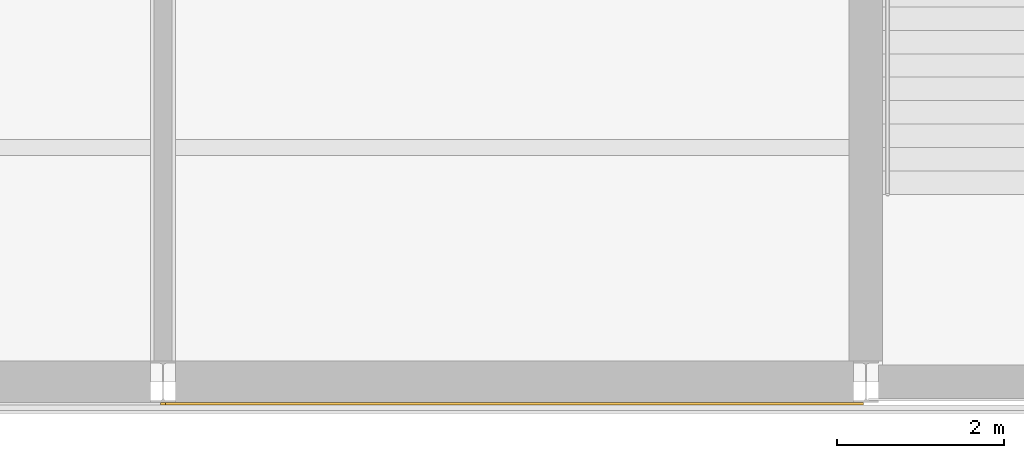
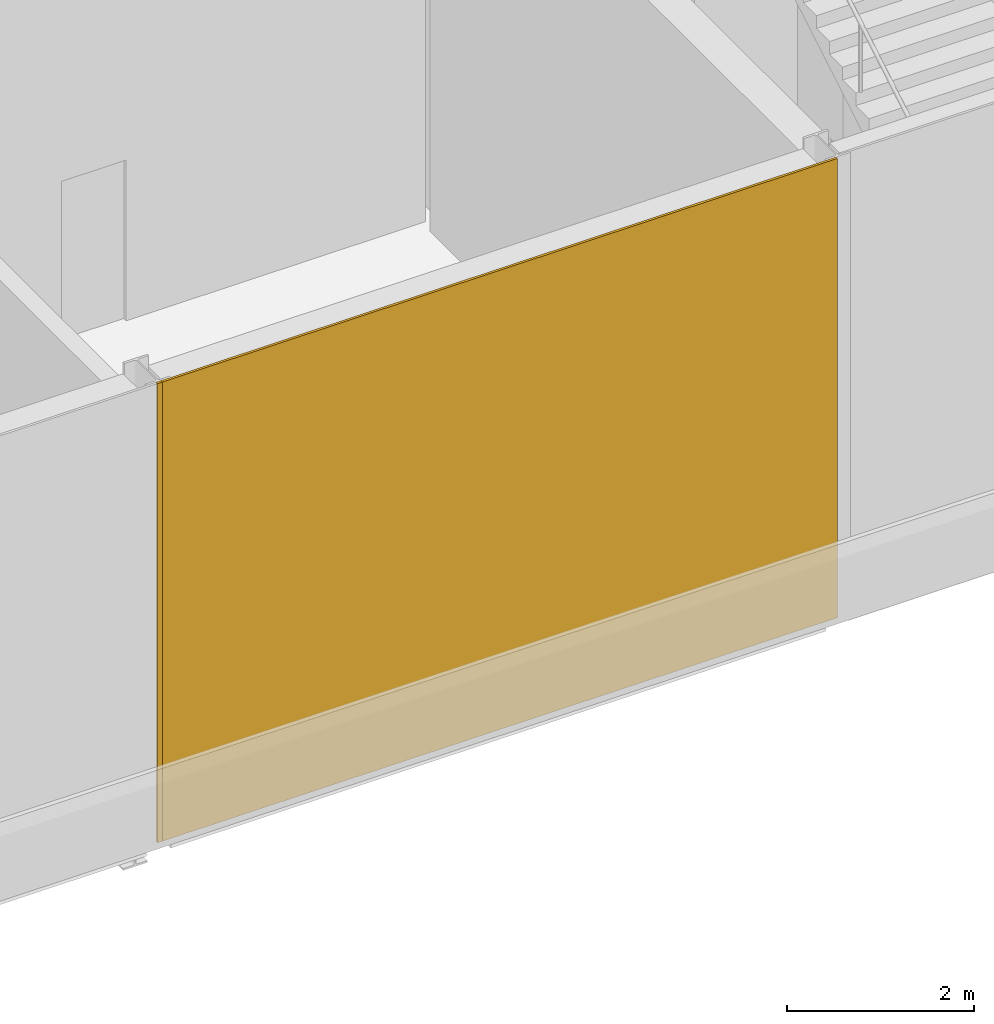
# One storey, part 49 of 55: 2 coverings.
"""IFC4 building model written with IfcOpenShell, lengths in metres."""

import ifcopenshell
import ifcopenshell.guid

model = None  # the IFC model being written
_history = None  # IfcOwnerHistory: only IFC2X3 demands one
_inside = {}  # id of a spatial element -> (the spatial element, [elements in it])
_under = {}  # id of a project, library or spatial element -> (it, [spatial elements below it])
_declared = {}  # id of a project -> (the project, [libraries it declares])
_typed = {}  # id of a type object -> (the type object, [elements of that type])
_made_of = {}  # id of a material, layer set ... -> (it, [elements and type objects made of it])


def new_model(schema):
    """Start an empty IFC model of exactly this schema.

    Asked for "IFC4X3", IfcOpenShell would pick the latest addendum, in which some entities
    have other attributes; the version numbers below select the first issue.
    IFC2X3 requires an IfcOwnerHistory on every rooted entity: one is made here for all.
    """
    global model, _history
    if schema == "IFC4X3":
        model = ifcopenshell.file(schema_version=(4, 3, 0, 0))
    else:
        model = ifcopenshell.file(schema=schema)
    _inside.clear()
    _under.clear()
    _declared.clear()
    _typed.clear()
    _made_of.clear()
    _history = None
    if model.schema == "IFC2X3":
        org = make("IfcOrganization", Name="unknown")
        user = make(
            "IfcPersonAndOrganization",
            ThePerson=make("IfcPerson", FamilyName="unknown"),
            TheOrganization=org,
        )
        app = make(
            "IfcApplication",
            ApplicationDeveloper=org,
            Version="unknown",
            ApplicationFullName="unknown",
            ApplicationIdentifier="unknown",
        )
        _history = make(
            "IfcOwnerHistory",
            OwningUser=user,
            OwningApplication=app,
            ChangeAction="ADDED",
            CreationDate=0,
        )
    return model


def make(cls, **values):
    """One entity of the class cls with the attributes given. An attribute that is None is left unset."""
    return model.create_entity(
        cls, **{name: value for name, value in values.items() if value is not None}
    )


def rooted(cls, **values):
    """An entity with a GlobalId (a new one), such as an element, a storey or a relation."""
    return make(cls, GlobalId=ifcopenshell.guid.new(), OwnerHistory=_history, **values)


def si_unit(unit_type, name, prefix=None):
    """IfcSIUnit, for example si_unit("LENGTHUNIT", "METRE", prefix="MILLI")."""
    return make("IfcSIUnit", UnitType=unit_type, Prefix=prefix, Name=name)


def assignment(units):
    """IfcUnitAssignment: the units of a project."""
    return None if units is None else make("IfcUnitAssignment", Units=units)


def point(xyz):
    """IfcCartesianPoint."""
    return None if xyz is None else make("IfcCartesianPoint", Coordinates=xyz)


def direction(xyz):
    """IfcDirection."""
    return None if xyz is None else make("IfcDirection", DirectionRatios=xyz)


def frame(location, z_axis=None, x_axis=None):
    """IfcAxis2Placement3D, a coordinate frame: its origin and axes. An axis left out is left unset."""
    return make(
        "IfcAxis2Placement3D",
        Location=point(location),
        Axis=direction(z_axis),
        RefDirection=direction(x_axis),
    )


def frame_2d(location, x_axis=None):
    """IfcAxis2Placement2D, a coordinate frame in the plane: its origin and x axis."""
    return make(
        "IfcAxis2Placement2D", Location=point(location), RefDirection=direction(x_axis)
    )


def origin():
    """The frame at (0, 0, 0) with its axes left unset."""
    return frame((0.0, 0.0, 0.0))


def origin_2d():
    """The frame at (0, 0) in the plane with its x axis left unset."""
    return frame_2d((0.0, 0.0))


def place(relative_to, where):
    """IfcLocalPlacement: puts the frame where relative to a parent placement (None: the world)."""
    return make(
        "IfcLocalPlacement", PlacementRelTo=relative_to, RelativePlacement=where
    )


def context(
    kind, dimensions, precision=None, world=None, true_north=None, identifier=None
):
    """IfcGeometricRepresentationContext, for example the 3D "Model" context."""
    return make(
        "IfcGeometricRepresentationContext",
        ContextIdentifier=identifier,
        ContextType=kind,
        CoordinateSpaceDimension=dimensions,
        Precision=precision,
        WorldCoordinateSystem=world,
        TrueNorth=true_north,
    )


def subcontext(parent, identifier, kind, view, scale=None):
    """IfcGeometricRepresentationSubContext, for example "Body" below "Model"."""
    return make(
        "IfcGeometricRepresentationSubContext",
        ContextIdentifier=identifier,
        ContextType=kind,
        ParentContext=parent,
        TargetScale=scale,
        TargetView=view,
    )


def project(units=None, contexts=None):
    """IfcProject with its units and contexts."""
    return rooted(
        "IfcProject",
        Name="project",
        RepresentationContexts=contexts,
        UnitsInContext=assignment(units),
    )


def spatial(cls, under=None, at=None, **own):
    """A site, building, storey or space (cls), placed at a placement, below another one or the project."""
    s = rooted(cls, ObjectPlacement=at, **own)
    if under is not None:
        _under.setdefault(under.id(), (under, []))[1].append(s)
    return s


def profile(cls, at=None, kind="AREA", **sizes):
    """A parametric profile (cls). Its sizes go by their IFC names, for example OverallWidth=200.0."""
    return make(cls, ProfileType=kind, Position=at, **sizes)


def rectangle(**sizes):
    """IfcRectangleProfileDef."""
    return profile("IfcRectangleProfileDef", **sizes)


def extrude(swept, where, along, depth):
    """IfcExtrudedAreaSolid: the profile swept, set in the frame where, extruded along a direction by depth."""
    return make(
        "IfcExtrudedAreaSolid",
        SweptArea=swept,
        Position=where,
        ExtrudedDirection=direction(along),
        Depth=depth,
    )


def shape(context_of_items, identifier, shape_type, items):
    """IfcShapeRepresentation: the items that make up one representation, for example the "Body"."""
    return make(
        "IfcShapeRepresentation",
        ContextOfItems=context_of_items,
        RepresentationIdentifier=identifier,
        RepresentationType=shape_type,
        Items=items,
    )


def material(Name=None, Category=None):
    """IfcMaterial."""
    return make("IfcMaterial", Name=Name, Category=Category)


def layer(
    of_material, thickness, ventilated=None, Name=None, Category=None, Priority=None
):
    """IfcMaterialLayer: one layer of a wall or slab, of a material (None: an air gap)."""
    return make(
        "IfcMaterialLayer",
        Material=of_material,
        LayerThickness=thickness,
        IsVentilated=ventilated,
        Name=Name,
        Category=Category,
        Priority=Priority,
    )


def layer_set(layers, Name=None):
    """IfcMaterialLayerSet."""
    return make("IfcMaterialLayerSet", MaterialLayers=layers, LayerSetName=Name)


def made_of(thing, what):
    """Note that an element or type object is made of a material, layer set ...; save() writes the relation."""
    if what is not None:
        _made_of.setdefault(what.id(), (what, []))[1].append(thing)
    return thing


def type_object(cls, material=None, **own):
    """A type object (cls), such as IfcWallType, which elements share."""
    return made_of(rooted(cls, **own), material)


def element(
    cls,
    number,
    at=None,
    inside=None,
    cuts=None,
    type_object=None,
    material=None,
    context=None,
    identifier="Body",
    shape_type=None,
    held_by="IfcProductDefinitionShape",
    body=None,
    shapes=None,
    **own,
):
    """One element of the class cls, such as IfcWall. Its Tag is "e" and its number.

    at: its placement. inside: the storey or other place that contains it. cuts: it is an
    opening in that element (IfcRelVoidsElement). A single representation is given by context,
    identifier, shape_type and body (its items); several are given by shapes. held_by: the class
    of the entity that holds the representations. save() writes the other relations.
    """
    e = rooted(cls, Tag="e%d" % number, ObjectPlacement=at, **own)
    if body is not None:
        shapes = [shape(context, identifier, shape_type, body)]
    if shapes is not None:
        e.Representation = make(held_by, Representations=shapes)
    if inside is not None:
        _inside.setdefault(inside.id(), (inside, []))[1].append(e)
    if cuts is not None:
        rooted(
            "IfcRelVoidsElement", RelatingBuildingElement=cuts, RelatedOpeningElement=e
        )
    if type_object is not None:
        _typed.setdefault(type_object.id(), (type_object, []))[1].append(e)
    return made_of(e, material)


def aggregate(whole, parts):
    """IfcRelAggregates: a whole, such as a stair, and the parts it consists of."""
    return rooted("IfcRelAggregates", RelatingObject=whole, RelatedObjects=parts)


def save(model, path):
    """Write the relations noted so far, then the file.

    IfcRelAggregates (storeys below a building ...), IfcRelContainedInSpatialStructure (elements
    in a storey), IfcRelDefinesByType, IfcRelAssociatesMaterial and IfcRelDeclares: one each for
    every whole, place, type object, material and project.
    """
    for whole, parts in _under.values():
        aggregate(whole, parts)
    for where, things in _inside.values():
        rooted(
            "IfcRelContainedInSpatialStructure",
            RelatedElements=things,
            RelatingStructure=where,
        )
    for kind, things in _typed.values():
        rooted("IfcRelDefinesByType", RelatedObjects=things, RelatingType=kind)
    for what, things in _made_of.values():
        rooted("IfcRelAssociatesMaterial", RelatedObjects=things, RelatingMaterial=what)
    for by, libraries in _declared.values():
        rooted("IfcRelDeclares", RelatingContext=by, RelatedDefinitions=libraries)
    model.write(path)


model = new_model("IFC4")

# Units and contexts
model_context = context("Model", 3, precision=1e-05, world=origin(), true_north=direction((0.0, 1.0)))
body_context = subcontext(model_context, "Body", "Model", "MODEL_VIEW")
ifc_project = project(units=[si_unit("LENGTHUNIT", "METRE"), si_unit("AREAUNIT", "SQUARE_METRE"), si_unit("VOLUMEUNIT", "CUBIC_METRE"), si_unit("PLANEANGLEUNIT", "RADIAN"), si_unit("MASSUNIT", "GRAM", prefix="KILO")], contexts=[model_context])

# Site, building, storey
site_placement = place(None, origin())
site = spatial("IfcSite", under=ifc_project, at=site_placement, CompositionType="ELEMENT")
building_placement = place(site_placement, origin())
building = spatial("IfcBuilding", under=site, at=building_placement, Name="Galleria Vessillo Department Store", CompositionType="ELEMENT")
storey_placement = place(building_placement, origin())
storey = spatial("IfcBuildingStorey", under=building, at=storey_placement, Name="L00", CompositionType="ELEMENT", Elevation=0.0)

# Coverings
ifc_material = material(Name="Lime plaster (intonaco) ochre")
ifc_layer = layer(ifc_material, 0.030029296875)
ifc_layer_set = layer_set([ifc_layer], Name="Lime plaster (intonaco) ochre")
covering_type = type_object("IfcCoveringType", Name="Lime plaster render 30 mm", PredefinedType="CLADDING", material=ifc_layer_set)
covering_1_placement = place(storey_placement, frame((71.39990234375, -0.264892578125, 0.0), z_axis=(0.0, 0.0, 1.0), x_axis=(1.0, 0.0, 0.0)))
element("IfcCovering", 1, at=covering_1_placement, inside=storey, type_object=covering_type, Name="Wall cladding S-PS-L00-06", PredefinedType="CLADDING", context=body_context, shape_type="SweptSolid", body=[
    extrude(rectangle(XDim=8.34033203125, YDim=0.030029296875, at=origin_2d()), origin(), (0.0, 0.0, 1.0), 6.0),
])
covering_2_placement = place(storey_placement, frame((67.199951171875, -0.264892578125, 0.0), z_axis=(0.0, 0.0, 1.0), x_axis=(1.0, 0.0, 0.0)))
element("IfcCovering", 2, at=covering_2_placement, inside=storey, type_object=covering_type, Name="Joint block Wall cladding S-PS-L00-05", PredefinedType="CLADDING", context=body_context, shape_type="SweptSolid", body=[
    extrude(rectangle(XDim=0.059814453125, YDim=0.030029296875, at=origin_2d()), origin(), (0.0, 0.0, 1.0), 6.0),
])

save(model, "model.ifc")
